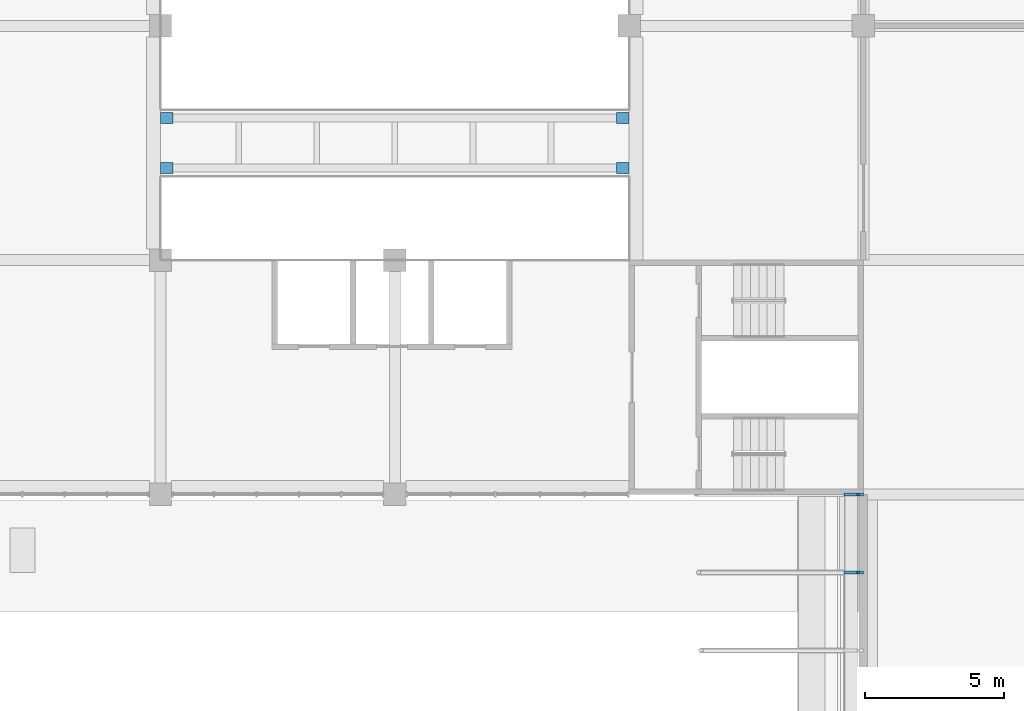
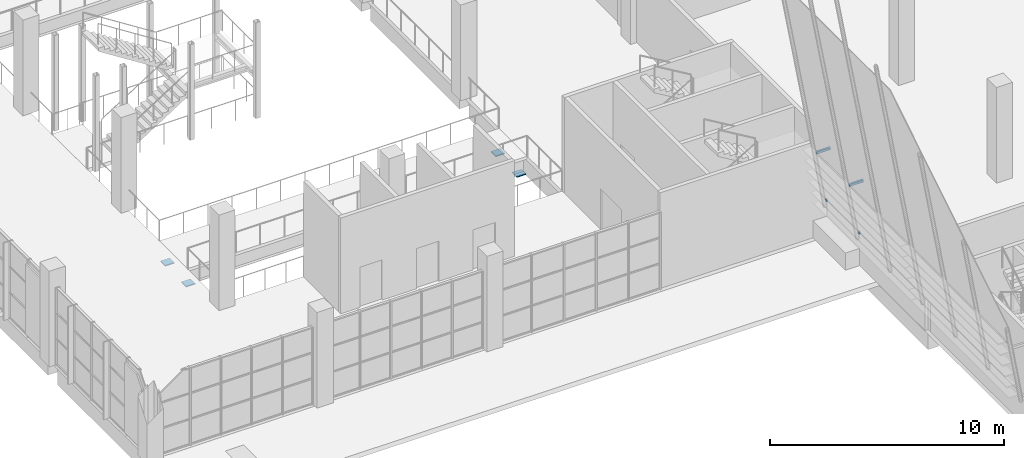
# One storey, part 52 of 101: 8 discrete accessories.
"""IFC4 building model written with IfcOpenShell, lengths in metres."""

from ifc_helpers import new_model, si_unit, direction, frame, origin, origin_2d, place, context, subcontext, project, spatial, rectangle, extrude, material, type_object, element, save


model = new_model("IFC4")

# Units and contexts
model_context = context("Model", 3, precision=1e-05, world=origin(), true_north=direction((0.0, 1.0)))
body_context = subcontext(model_context, "Body", "Model", "MODEL_VIEW")
ifc_project = project(units=[si_unit("LENGTHUNIT", "METRE"), si_unit("AREAUNIT", "SQUARE_METRE"), si_unit("VOLUMEUNIT", "CUBIC_METRE"), si_unit("PLANEANGLEUNIT", "RADIAN"), si_unit("MASSUNIT", "GRAM", prefix="KILO")], contexts=[model_context])

# Site, building, storey
site_placement = place(None, origin())
site = spatial("IfcSite", under=ifc_project, at=site_placement, CompositionType="ELEMENT")
building_placement = place(site_placement, origin())
building = spatial("IfcBuilding", under=site, at=building_placement, Name="Almond Square Museum", CompositionType="ELEMENT")
storey_placement = place(building_placement, frame((0.0, 0.0, 5.5)))
storey = spatial("IfcBuildingStorey", under=building, at=storey_placement, Name="L01", CompositionType="ELEMENT", Elevation=5.5)

# Discrete accessories
ifc_material_1 = material(Name="Structural steel S355", Category="steel")
discrete_accessory_type_1 = type_object("IfcDiscreteAccessoryType", Name="Bridge girder seat bracket", PredefinedType="BRACKET", material=ifc_material_1)
for number, where, z_axis, x_axis, name in (
    (1, (81.824951171875, 78.89990234375, -1.03515625), (0.0, 0.0, 1.0), (1.0, 0.0, 0.0), "Bridge 1 girder seat bracket (fixed end)"),
    (2, (98.175048828125, 78.89990234375, -1.03515625), (0.0, 0.0, 1.0), (1.0, 0.0, 0.0), "Bridge 1 girder seat bracket (sliding end)"),
    (3, (81.824951171875, 80.699951171875, -1.03515625), (0.0, 0.0, 1.0), (1.0, 0.0, 0.0), "Bridge 1 girder seat bracket (fixed end)"),
    (4, (98.175048828125, 80.699951171875, -1.03515625), (0.0, 0.0, 1.0), (1.0, 0.0, 0.0), "Bridge 1 girder seat bracket (sliding end)"),
):
    element("IfcDiscreteAccessory", number, at=place(storey_placement, frame(where, z_axis=z_axis, x_axis=x_axis)), inside=storey, type_object=discrete_accessory_type_1, Name=name, PredefinedType="BRACKET", context=body_context, shape_type="SweptSolid", body=[
        extrude(rectangle(XDim=0.449951171875, YDim=0.39990234375, at=origin_2d()), origin(), (0.0, 0.0, 1.0), 0.050048828125),
    ])
ifc_material_2 = material(Name="Stainless steel", Category="steel")
discrete_accessory_type_2 = type_object("IfcDiscreteAccessoryType", Name="Louvre post bracket", PredefinedType="BRACKET", material=ifc_material_2)
discrete_accessory_1_placement = place(storey_placement, frame((106.613525390625, 64.39990234375, 1.688720703125), z_axis=(0.0, 0.0, 1.0), x_axis=(1.0, 0.0, 0.0)))
element("IfcDiscreteAccessory", 5, at=discrete_accessory_1_placement, inside=storey, type_object=discrete_accessory_type_2, Name="Bracket louvre post", PredefinedType="BRACKET", context=body_context, shape_type="SweptSolid", body=[
    extrude(rectangle(XDim=0.076904296875, YDim=0.10009765625, at=origin_2d()), origin(), (0.0, 0.0, 1.0), 0.1201171875),
])
discrete_accessory_2_placement = place(storey_placement, frame((106.454833984375, 64.39990234375, 4.33984375), z_axis=(0.0, 0.0, 1.0), x_axis=(1.0, 0.0, 0.0)))
element("IfcDiscreteAccessory", 6, at=discrete_accessory_2_placement, inside=storey, type_object=discrete_accessory_type_2, Name="Bracket louvre post", PredefinedType="BRACKET", context=body_context, shape_type="SweptSolid", body=[
    extrude(rectangle(XDim=0.6943359375, YDim=0.10009765625, at=origin_2d()), origin(), (0.0, 0.0, 1.0), 0.1201171875),
])
discrete_accessory_3_placement = place(storey_placement, frame((106.613525390625, 67.199951171875, 1.688720703125), z_axis=(0.0, 0.0, 1.0), x_axis=(1.0, 0.0, 0.0)))
element("IfcDiscreteAccessory", 7, at=discrete_accessory_3_placement, inside=storey, type_object=discrete_accessory_type_2, Name="Bracket louvre post", PredefinedType="BRACKET", context=body_context, shape_type="SweptSolid", body=[
    extrude(rectangle(XDim=0.076904296875, YDim=0.10009765625, at=origin_2d()), origin(), (0.0, 0.0, 1.0), 0.1201171875),
])
discrete_accessory_4_placement = place(storey_placement, frame((106.454833984375, 67.199951171875, 4.33984375), z_axis=(0.0, 0.0, 1.0), x_axis=(1.0, 0.0, 0.0)))
element("IfcDiscreteAccessory", 8, at=discrete_accessory_4_placement, inside=storey, type_object=discrete_accessory_type_2, Name="Bracket louvre post", PredefinedType="BRACKET", context=body_context, shape_type="SweptSolid", body=[
    extrude(rectangle(XDim=0.6943359375, YDim=0.10009765625, at=origin_2d()), origin(), (0.0, 0.0, 1.0), 0.1201171875),
])

save(model, "model.ifc")
